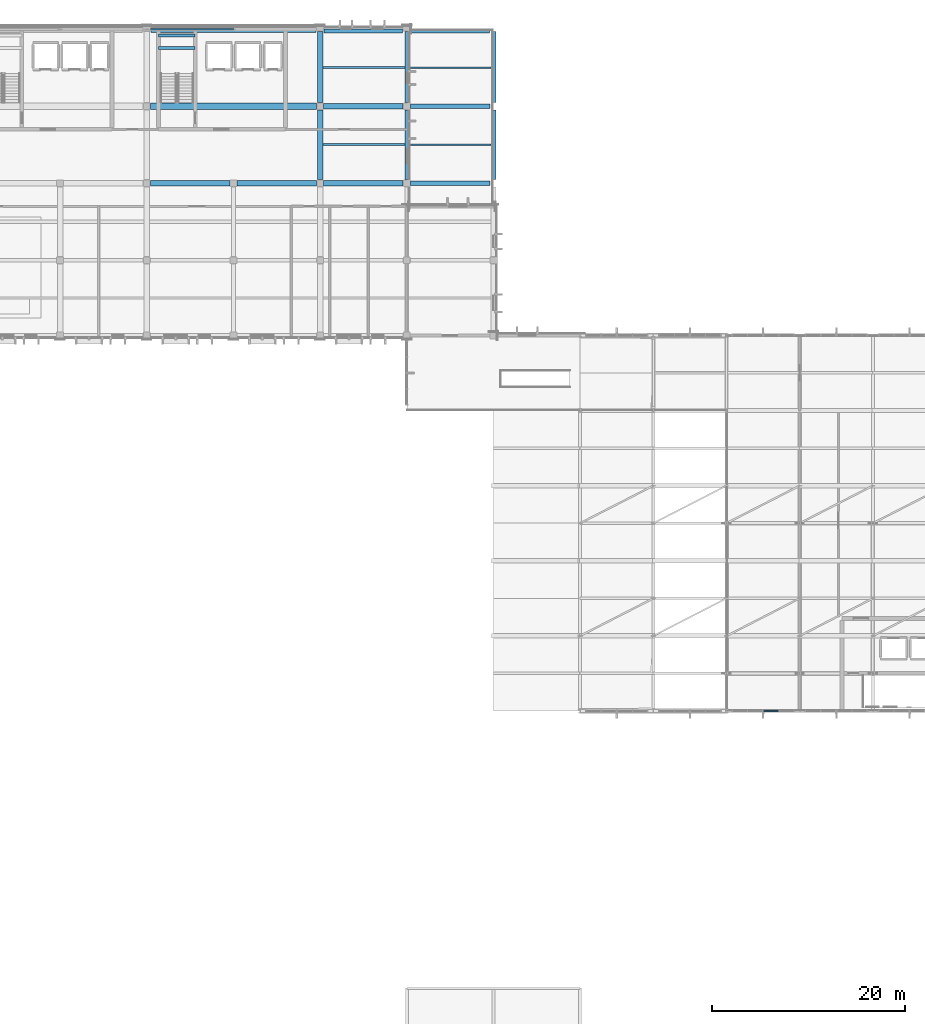
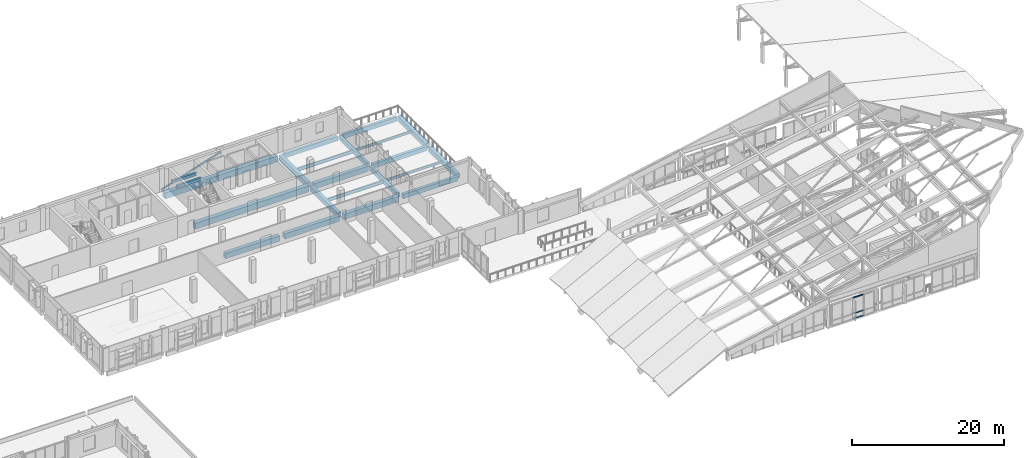
# One storey, part 24 of 73: 22 beams, 4 members, 1 element without a shape of its own.
"""IFC4 building model written with IfcOpenShell, lengths in metres."""

from ifc_helpers import new_model, si_unit, direction, frame, origin, origin_2d, place, context, subcontext, project, spatial, rectangle, hollow_rectangle, i_section, extrude, material, material_profile, profile_set, type_object, element, aggregate, save


model = new_model("IFC4")

# Units and contexts
model_context = context("Model", 3, precision=1e-05, world=origin(), true_north=direction((0.0, 1.0)))
body_context = subcontext(model_context, "Body", "Model", "MODEL_VIEW")
ifc_project = project(units=[si_unit("LENGTHUNIT", "METRE"), si_unit("AREAUNIT", "SQUARE_METRE"), si_unit("VOLUMEUNIT", "CUBIC_METRE"), si_unit("PLANEANGLEUNIT", "RADIAN"), si_unit("MASSUNIT", "GRAM", prefix="KILO")], contexts=[model_context])

# Site, building, storey
site_placement = place(None, origin())
site = spatial("IfcSite", under=ifc_project, at=site_placement, CompositionType="ELEMENT")
building_placement = place(site_placement, origin())
building = spatial("IfcBuilding", under=site, at=building_placement, Name="Vervanel Yard Central Library", CompositionType="ELEMENT")
storey_placement = place(building_placement, frame((0.0, 0.0, 12.780029296875)))
storey = spatial("IfcBuildingStorey", under=building, at=storey_placement, Name="L03", CompositionType="ELEMENT", Elevation=12.780029296875)

# Beams
ifc_material_1 = material(Name="Concrete C40/50", Category="concrete")
ifc_material_profile_1 = material_profile(ifc_material_1, rectangle(XDim=0.449951171875, YDim=0.699951171875, at=origin_2d()), Name="RC 450x700", Category="concrete")
ifc_profile_set_1 = profile_set([ifc_material_profile_1], Name="Concrete C40/50")
beam_type_1 = type_object("IfcBeamType", Name="Concrete Girder 450x700", PredefinedType="BEAM", material=ifc_profile_set_1)
for number, where, z_axis, x_axis, name in (
    (1, (90.375, 98.0, -0.695068359375), (1.0, 0.0, 0.0), (0.0, 1.0, 0.0), "L03 Girder CB-05 Y=98.0 X=90.0-99.0"),
    (2, (90.375, 106.0, -0.695068359375), (1.0, 0.0, 0.0), (0.0, 1.0, 0.0), "L03 Girder CB-05 Y=106.0 X=90.0-99.0"),
):
    element("IfcBeam", number, at=place(storey_placement, frame(where, z_axis=z_axis, x_axis=x_axis)), inside=storey, type_object=beam_type_1, Name=name, PredefinedType="BEAM", context=body_context, shape_type="SweptSolid", body=[
        extrude(rectangle(XDim=0.449951171875, YDim=0.699951171875, at=origin_2d()), origin(), (0.0, 0.0, 1.0), 8.25),
    ])
ifc_material_2 = material(Name="Concrete C45/55", Category="concrete")
ifc_material_profile_2 = material_profile(ifc_material_2, rectangle(XDim=0.64990234375, YDim=0.949951171875, at=origin_2d()), Name="RC 650x950", Category="concrete")
ifc_profile_set_2 = profile_set([ifc_material_profile_2], Name="Concrete C45/55")
beam_type_2 = type_object("IfcBeamType", Name="Concrete Heavy Stack Girder 650x950", PredefinedType="BEAM", material=ifc_profile_set_2)
beam_1_placement = place(storey_placement, frame((63.375, 106.0, -0.81005859375), z_axis=(1.0, 0.0, 0.0), x_axis=(0.0, 1.0, 0.0)))
element("IfcBeam", 3, at=beam_1_placement, inside=storey, type_object=beam_type_2, Name="L03 Girder CB-04 Y=106.0 X=63.0-81.0", PredefinedType="BEAM", context=body_context, shape_type="SweptSolid", body=[
    extrude(rectangle(XDim=0.64990234375, YDim=0.949951171875, at=origin_2d()), origin(), (0.0, 0.0, 1.0), 17.25),
])
beam_2_placement = place(storey_placement, frame((63.425048828125, 114.0, -0.81005859375), z_axis=(1.0, 0.0, 0.0), x_axis=(0.0, 1.0, 0.0)))
element("IfcBeam", 4, at=beam_2_placement, inside=storey, type_object=beam_type_2, Name="L03 Girder CB-04 Y=114.0 X=63.0-81.0", PredefinedType="BEAM", context=body_context, shape_type="SweptSolid", body=[
    extrude(rectangle(XDim=0.64990234375, YDim=0.949951171875, at=origin_2d()), origin(), (0.0, 0.0, 1.0), 17.14990234375),
])
ifc_material_profile_3 = material_profile(ifc_material_1, rectangle(XDim=0.300048828125, YDim=0.449951171875, at=origin_2d()), Name="RC 300x450", Category="concrete")
ifc_profile_set_3 = profile_set([ifc_material_profile_3], Name="Concrete C40/50")
beam_type_3 = type_object("IfcBeamType", Name="Concrete Opening Lintel 300x450", PredefinedType="LINTEL", material=ifc_profile_set_3)
for number, where, z_axis, x_axis, name in (
    (5, (64.199951171875, 112.050048828125, 1.445068359375), (1.0, 0.0, 0.0), (0.0, 1.0, 0.0), "L03 CORE-B Stair Landing Beam 17"),
    (6, (64.199951171875, 113.35009765625, 1.445068359375), (1.0, 0.0, 0.0), (0.0, 1.0, 0.0), "L03 CORE-B Stair Landing Beam 18"),
):
    element("IfcBeam", number, at=place(storey_placement, frame(where, z_axis=z_axis, x_axis=x_axis)), inside=storey, type_object=beam_type_3, Name=name, PredefinedType="LINTEL", context=body_context, shape_type="SweptSolid", body=[
        extrude(rectangle(XDim=0.300048828125, YDim=0.449951171875, at=origin_2d()), origin(), (0.0, 0.0, 1.0), 3.824951171875),
    ])
ifc_material_profile_4 = material_profile(ifc_material_1, rectangle(XDim=0.39990234375, YDim=0.699951171875, at=origin_2d()), Name="RC 400x700", Category="concrete")
ifc_profile_set_4 = profile_set([ifc_material_profile_4], Name="Concrete C40/50")
beam_type_4 = type_object("IfcBeamType", Name="Concrete Perimeter Spandrel 400x700", PredefinedType="SPANDREL", material=ifc_profile_set_4)
for number, where, z_axis, x_axis, name in (
    (7, (81.425048828125, 113.800048828125, -0.68505859375), (1.0, 0.0, 0.0), (0.0, 1.0, 0.0), "L03 Girder SP-01 Y=114.0 X=81.0-90.0"),
    (8, (90.425048828125, 113.800048828125, -0.695068359375), (1.0, 0.0, 0.0), (0.0, 1.0, 0.0), "L03 Girder SP-01 Y=114.0 X=90.0-99.0"),
):
    element("IfcBeam", number, at=place(storey_placement, frame(where, z_axis=z_axis, x_axis=x_axis)), inside=storey, type_object=beam_type_4, Name=name, PredefinedType="SPANDREL", context=body_context, shape_type="SweptSolid", body=[
        extrude(rectangle(XDim=0.39990234375, YDim=0.699951171875, at=origin_2d()), origin(), (0.0, 0.0, 1.0), 8.14990234375),
    ])
beam_3_placement = place(storey_placement, frame((90.0, 98.375, -0.695068359375), z_axis=(0.0, 1.0, 0.0), x_axis=(-1.0, 0.0, 0.0)))
element("IfcBeam", 9, at=beam_3_placement, inside=storey, type_object=beam_type_4, Name="L03 Girder SP-01 X=90.0 Y=98.0-106.0", PredefinedType="SPANDREL", context=body_context, shape_type="SweptSolid", body=[
    extrude(rectangle(XDim=0.39990234375, YDim=0.699951171875, at=origin_2d()), origin(), (0.0, 0.0, 1.0), 7.25),
])
beam_4_placement = place(storey_placement, frame((90.0, 106.375, -0.695068359375), z_axis=(0.0, 1.0, 0.0), x_axis=(-1.0, 0.0, 0.0)))
element("IfcBeam", 10, at=beam_4_placement, inside=storey, type_object=beam_type_4, Name="L03 Girder SP-01 X=90.0 Y=106.0-114.0", PredefinedType="SPANDREL", context=body_context, shape_type="SweptSolid", body=[
    extrude(rectangle(XDim=0.39990234375, YDim=0.699951171875, at=origin_2d()), origin(), (0.0, 0.0, 1.0), 7.39990234375),
])
ifc_material_profile_5 = material_profile(ifc_material_1, rectangle(XDim=0.550048828125, YDim=0.800048828125, at=origin_2d()), Name="RC 550x800", Category="concrete")
ifc_profile_set_5 = profile_set([ifc_material_profile_5], Name="Concrete C40/50")
beam_type_5 = type_object("IfcBeamType", Name="Concrete Primary Girder 550x800", PredefinedType="BEAM", material=ifc_profile_set_5)
beam_5_placement = place(storey_placement, frame((81.0, 98.375, -0.735107421875), z_axis=(0.0, 1.0, 0.0), x_axis=(-1.0, 0.0, 0.0)))
element("IfcBeam", 11, at=beam_5_placement, inside=storey, type_object=beam_type_5, Name="L03 Girder CB-02 X=81.0 Y=98.0-106.0", PredefinedType="BEAM", context=body_context, shape_type="SweptSolid", body=[
    extrude(rectangle(XDim=0.550048828125, YDim=0.800048828125, at=origin_2d()), origin(), (0.0, 0.0, 1.0), 7.25),
])
beam_6_placement = place(storey_placement, frame((81.0, 106.375, -0.735107421875), z_axis=(0.0, 1.0, 0.0), x_axis=(-1.0, 0.0, 0.0)))
element("IfcBeam", 12, at=beam_6_placement, inside=storey, type_object=beam_type_5, Name="L03 Girder CB-02 X=81.0 Y=106.0-114.0", PredefinedType="BEAM", context=body_context, shape_type="SweptSolid", body=[
    extrude(rectangle(XDim=0.550048828125, YDim=0.800048828125, at=origin_2d()), origin(), (0.0, 0.0, 1.0), 7.39990234375),
])
beam_7_placement = place(storey_placement, frame((99.0, 98.375, -0.7451171875), z_axis=(0.0, 1.0, 0.0), x_axis=(-1.0, 0.0, 0.0)))
element("IfcBeam", 13, at=beam_7_placement, inside=storey, type_object=beam_type_5, Name="L03 Girder CB-02 X=99.0 Y=98.0-106.0", PredefinedType="BEAM", context=body_context, shape_type="SweptSolid", body=[
    extrude(rectangle(XDim=0.550048828125, YDim=0.800048828125, at=origin_2d()), origin(), (0.0, 0.0, 1.0), 7.25),
])
beam_8_placement = place(storey_placement, frame((99.0, 106.375, -0.7451171875), z_axis=(0.0, 1.0, 0.0), x_axis=(-1.0, 0.0, 0.0)))
element("IfcBeam", 14, at=beam_8_placement, inside=storey, type_object=beam_type_5, Name="L03 Girder CB-02 X=99.0 Y=106.0-114.0", PredefinedType="BEAM", context=body_context, shape_type="SweptSolid", body=[
    extrude(rectangle(XDim=0.550048828125, YDim=0.800048828125, at=origin_2d()), origin(), (0.0, 0.0, 1.0), 7.39990234375),
])
ifc_material_profile_6 = material_profile(ifc_material_2, rectangle(XDim=0.60009765625, YDim=0.85009765625, at=origin_2d()), Name="RC 600x850", Category="concrete")
ifc_profile_set_6 = profile_set([ifc_material_profile_6], Name="Concrete C45/55")
beam_type_6 = type_object("IfcBeamType", Name="Concrete Stack Girder 600x850", PredefinedType="BEAM", material=ifc_profile_set_6)
for number, where, z_axis, x_axis, name in (
    (15, (63.375, 98.0, -0.760009765625), (1.0, 0.0, 0.0), (0.0, 1.0, 0.0), "L03 Girder CB-03 Y=98.0 X=63.0-72.0"),
    (16, (72.375, 98.0, -0.760009765625), (1.0, 0.0, 0.0), (0.0, 1.0, 0.0), "L03 Girder CB-03 Y=98.0 X=72.0-81.0"),
    (17, (81.375, 98.0, -0.760009765625), (1.0, 0.0, 0.0), (0.0, 1.0, 0.0), "L03 Girder CB-03 Y=98.0 X=81.0-90.0"),
    (18, (81.375, 106.0, -0.760009765625), (1.0, 0.0, 0.0), (0.0, 1.0, 0.0), "L03 Girder CB-03 Y=106.0 X=81.0-90.0"),
):
    element("IfcBeam", number, at=place(storey_placement, frame(where, z_axis=z_axis, x_axis=x_axis)), inside=storey, type_object=beam_type_6, Name=name, PredefinedType="BEAM", context=body_context, shape_type="SweptSolid", body=[
        extrude(rectangle(XDim=0.60009765625, YDim=0.85009765625, at=origin_2d()), origin(), (0.0, 0.0, 1.0), 8.25),
    ])

# Member
ifc_material_3 = material(Name="Steel ASTM A500 Grade C", Category="steel")
ifc_material_profile_7 = material_profile(ifc_material_3, hollow_rectangle(XDim=0.15234375, YDim=0.25390625, WallThickness=0.01171875, at=origin_2d()), Name="HSS10X6X1/2", Category="steel")
ifc_profile_set_7 = profile_set([ifc_material_profile_7], Name="Steel ASTM A500 Grade C")
member_type_1 = type_object("IfcMemberType", Name="Lateral Frame Brace HSS10X6X1/2", PredefinedType="BRACE", material=ifc_profile_set_7)
member_1_placement = place(storey_placement, frame((63.0, 114.0, 0.14990234375), z_axis=(0.951032552024, 0.0, 0.30909073909), x_axis=(0.0, 1.0, 0.0)))
element("IfcMember", 19, at=member_1_placement, inside=storey, type_object=member_type_1, Name="L03 Stack Spine Lateral Brace 6", PredefinedType="BRACE", context=body_context, shape_type="SweptSolid", body=[
    extrude(hollow_rectangle(XDim=0.15234375, YDim=0.25390625, WallThickness=0.01171875, at=origin_2d()), origin(), (0.0, 0.0, 1.0), 9.46337890625),
])

# Curtain wall, members
ifc_material_4 = material(Name="Thermally broken anodized aluminium 6063-T6", Category="aluminium")
curtain_wall_type = type_object("IfcCurtainWallType", Name="Prow Cantilever Glazed Curtain Wall", PredefinedType="NOTDEFINED", material=ifc_material_4)
curtain_wall_placement = place(storey_placement, origin())
curtain_wall = element("IfcCurtainWall", 20, at=curtain_wall_placement, inside=storey, type_object=curtain_wall_type, Name="L03 Prow Cantilever Glazed Curtain Wall CWR-L03-081", PredefinedType="NOTDEFINED")
ifc_material_profile_8 = material_profile(ifc_material_4, rectangle(XDim=0.070068359375, YDim=0.14990234375, at=origin_2d()), Name="ALU 70x150", Category="aluminium")
ifc_profile_set_8 = profile_set([ifc_material_profile_8], Name="Thermally broken anodized aluminium 6063-T6")
member_type_2 = type_object("IfcMemberType", Name="Reading Hall Deep Transom 70x150", PredefinedType="NOTDEFINED", material=ifc_profile_set_8)
member_2_placement = place(storey_placement, frame((127.070068359375, 43.199951171875, 0.034912109375), z_axis=(1.0, 0.0, 0.0), x_axis=(0.0, 0.0, 1.0)))
member_2 = element("IfcMember", 21, at=member_2_placement, type_object=member_type_2, Name="CWR-L03-081 Transom B1-T1", ObjectType="TRANSOM", PredefinedType="USERDEFINED", context=body_context, shape_type="SweptSolid", body=[
    extrude(rectangle(XDim=0.070068359375, YDim=0.14990234375, at=origin_2d()), origin(), (0.0, 0.0, 1.0), 1.514892578125),
])
member_3_placement = place(storey_placement, frame((127.070068359375, 43.199951171875, 0.849853515625), z_axis=(1.0, 0.0, 0.0), x_axis=(0.0, 0.0, 1.0)))
member_3 = element("IfcMember", 22, at=member_3_placement, type_object=member_type_2, Name="CWR-L03-081 Transom B1-T2", ObjectType="TRANSOM", PredefinedType="USERDEFINED", context=body_context, shape_type="SweptSolid", body=[
    extrude(rectangle(XDim=0.070068359375, YDim=0.14990234375, at=origin_2d()), origin(), (0.0, 0.0, 1.0), 1.514892578125),
])
member_4_placement = place(storey_placement, frame((127.070068359375, 43.199951171875, 3.364990234375), z_axis=(1.0, 0.0, 0.0), x_axis=(0.0, 0.0, 1.0)))
member_4 = element("IfcMember", 23, at=member_4_placement, type_object=member_type_2, Name="CWR-L03-081 Transom B1-T3", ObjectType="TRANSOM", PredefinedType="USERDEFINED", context=body_context, shape_type="SweptSolid", body=[
    extrude(rectangle(XDim=0.070068359375, YDim=0.14990234375, at=origin_2d()), origin(), (0.0, 0.0, 1.0), 1.514892578125),
])
aggregate(curtain_wall, [member_2, member_3, member_4])

# Beams
ifc_material_5 = material(Name="Steel ASTM A992 Grade 50", Category="steel")
ifc_material_profile_9 = material_profile(ifc_material_5, i_section(OverallWidth=0.1787109375, OverallDepth=0.408935546875, WebThickness=0.0087890625, FlangeThickness=0.014404296875, at=origin_2d()), Name="W16X45", Category="steel")
ifc_profile_set_9 = profile_set([ifc_material_profile_9], Name="Steel ASTM A992 Grade 50")
beam_type_7 = type_object("IfcBeamType", Name="Steel Secondary Joist W16X45", PredefinedType="JOIST", material=ifc_profile_set_9)
for number, where, z_axis, x_axis, name in (
    (24, (90.199951171875, 102.0, -0.549560546875), (1.0, 0.0, 0.0), (0.0, 1.0, 0.0), "L03 Floor Joist SJ-01 Y=102.00 X=90.0-99.0"),
    (25, (90.199951171875, 110.0, -0.549560546875), (1.0, 0.0, 0.0), (0.0, 1.0, 0.0), "L03 Floor Joist SJ-01 Y=110.00 X=90.0-99.0"),
):
    element("IfcBeam", number, at=place(storey_placement, frame(where, z_axis=z_axis, x_axis=x_axis)), inside=storey, type_object=beam_type_7, Name=name, PredefinedType="JOIST", context=body_context, shape_type="SweptSolid", body=[
        extrude(i_section(OverallWidth=0.1787109375, OverallDepth=0.408935546875, WebThickness=0.0087890625, FlangeThickness=0.014404296875, at=origin_2d()), origin(), (0.0, 0.0, 1.0), 8.525146484375),
    ])
ifc_material_profile_10 = material_profile(ifc_material_5, i_section(OverallWidth=0.2099609375, OverallDepth=0.535888671875, WebThickness=0.010986328125, FlangeThickness=0.017333984375, at=origin_2d()), Name="W21X68", Category="steel")
ifc_profile_set_10 = profile_set([ifc_material_profile_10], Name="Steel ASTM A992 Grade 50")
beam_type_8 = type_object("IfcBeamType", Name="Steel Stack Floor Joist W21X68", PredefinedType="JOIST", material=ifc_profile_set_10)
for number, where, z_axis, x_axis, name in (
    (26, (81.27490234375, 102.0, -0.613037109375), (1.0, 0.0, 0.0), (0.0, 1.0, 0.0), "L03 Floor Joist SJ-04 Y=102.00 X=81.0-90.0"),
    (27, (81.27490234375, 110.0, -0.613037109375), (1.0, 0.0, 0.0), (0.0, 1.0, 0.0), "L03 Floor Joist SJ-04 Y=110.00 X=81.0-90.0"),
):
    element("IfcBeam", number, at=place(storey_placement, frame(where, z_axis=z_axis, x_axis=x_axis)), inside=storey, type_object=beam_type_8, Name=name, PredefinedType="JOIST", context=body_context, shape_type="SweptSolid", body=[
        extrude(i_section(OverallWidth=0.2099609375, OverallDepth=0.535888671875, WebThickness=0.010986328125, FlangeThickness=0.017333984375, at=origin_2d()), origin(), (0.0, 0.0, 1.0), 8.525146484375),
    ])

save(model, "model.ifc")
